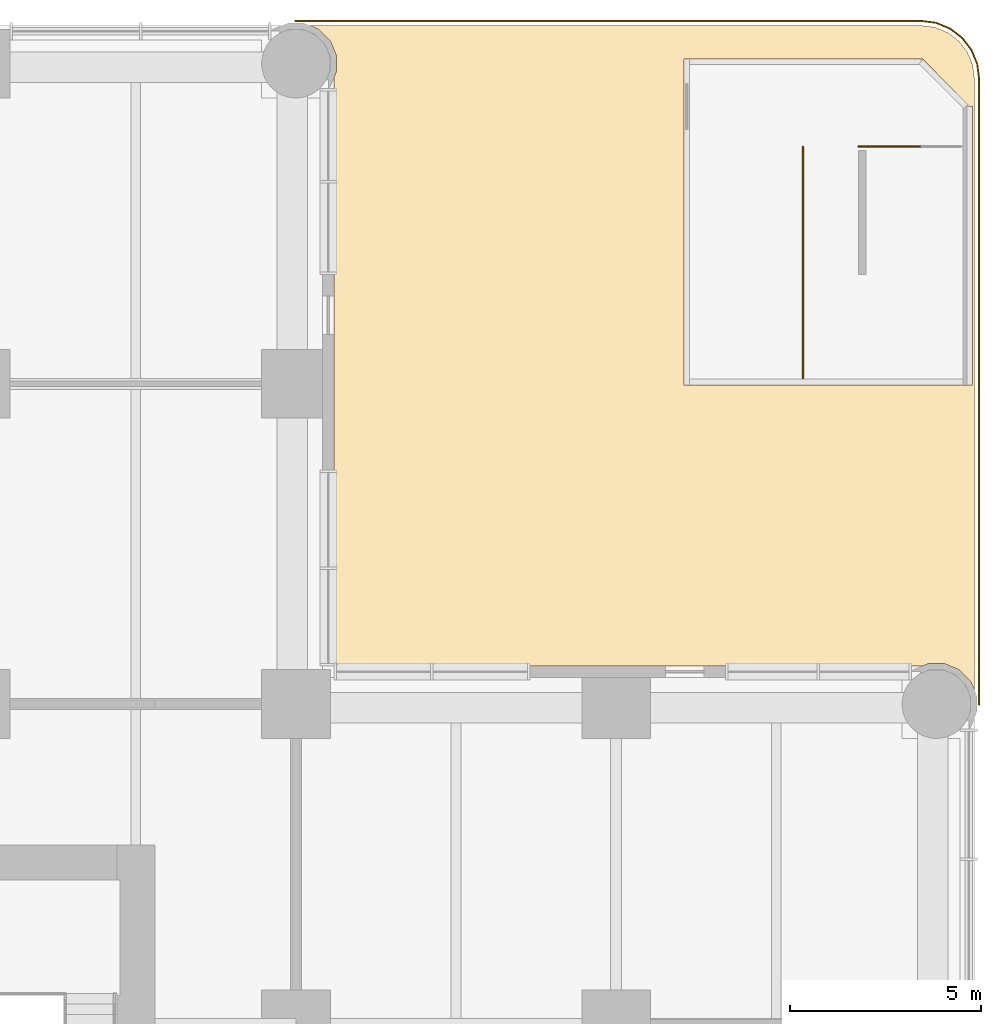
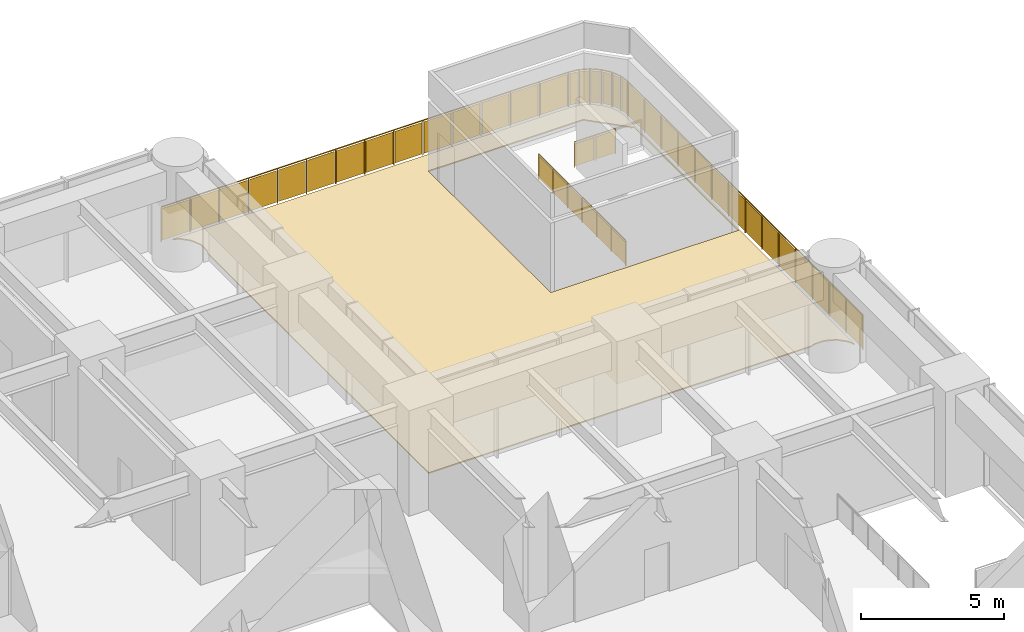
# One storey, part 20 of 21: 3 railings, 1 covering.
"""IFC4 building model written with IfcOpenShell, lengths in metres."""

from ifc_helpers import new_model, si_unit, direction, frame, origin, origin_2d, place, context, subcontext, project, spatial, polyline, circle, outline, extrude, material, layer, layer_set, constituent, constituent_set, type_object, element, save


model = new_model("IFC4")

# Units and contexts
model_context = context("Model", 3, precision=1e-05, world=origin(), true_north=direction((0.0, 1.0)))
body_context = subcontext(model_context, "Body", "Model", "MODEL_VIEW")
ifc_project = project(units=[si_unit("LENGTHUNIT", "METRE"), si_unit("AREAUNIT", "SQUARE_METRE"), si_unit("VOLUMEUNIT", "CUBIC_METRE"), si_unit("PLANEANGLEUNIT", "RADIAN"), si_unit("MASSUNIT", "GRAM", prefix="KILO")], contexts=[model_context])

# Site, building, storey
site_placement = place(None, origin())
site = spatial("IfcSite", under=ifc_project, at=site_placement, CompositionType="ELEMENT")
building_placement = place(site_placement, origin())
building = spatial("IfcBuilding", under=site, at=building_placement, Name="Torre Alcanfor", CompositionType="ELEMENT")
storey_placement = place(building_placement, frame((0.0, 0.0, 24.0)))
storey = spatial("IfcBuildingStorey", under=building, at=storey_placement, Name="L05", CompositionType="ELEMENT", Elevation=24.0)

# Railing
ifc_material_1 = material(Name="Steel ASTM A500 Grade C hollow sections, hot-dip galvanised ASTM A123", Category="steel")
ifc_constituent_1 = constituent(ifc_material_1, Name="Posts and rails")
ifc_material_2 = material(Name="Laminated safety glass", Category="glass")
ifc_constituent_2 = constituent(ifc_material_2, Name="Infill")
ifc_constituent_set = constituent_set(constituents=[ifc_constituent_1, ifc_constituent_2], Name="Play deck guard 1500")
railing_type_1 = type_object("IfcRailingType", Name="Play deck guard 1500", PredefinedType="BALUSTRADE", material=ifc_constituent_set)
railing_1_placement = place(storey_placement, frame((59.919921875, 41.977294921875, 0.0)))
element("IfcRailing", 1, at=railing_1_placement, inside=storey, type_object=railing_type_1, Name="Play deck guard L05 4", PredefinedType="BALUSTRADE", context=body_context, shape_type="SweptSolid", body=[
    extrude(circle(Radius=0.02392578125, at=origin_2d()), frame((0.0, 0.0, 1.47607421875), z_axis=(0.0, 1.0, 0.0), x_axis=(-1.0, 0.0, 0.0)), (0.0, 0.0, 1.0), 16.422607421875),
    extrude(circle(Radius=0.02392578125, at=origin_2d()), frame((0.0, 16.422607421875, 1.47607421875), z_axis=(-0.061422268918, 0.998111869923, 0.0), x_axis=(-0.998111869923, -0.061422268918, 0.0)), (0.0, 0.0, 1.0), 0.015869140625),
    extrude(circle(Radius=0.02392578125, at=origin_2d()), frame((-0.0009765625, 16.4384765625, 1.47607421875), z_axis=(-0.130281684003, 0.99147702082, 0.0), x_axis=(-0.99147702082, -0.130281684003, 0.0)), (0.0, 0.0, 1.0), 0.365478515625),
    extrude(circle(Radius=0.02392578125, at=origin_2d()), frame((-0.048583984375, 16.80078125, 1.47607421875), z_axis=(-0.18711210789, 0.982338566422, 0.0), x_axis=(-0.982338566422, -0.18711210789, 0.0)), (0.0, 0.0, 1.0), 0.010498046875),
    extrude(circle(Radius=0.02392578125, at=origin_2d()), frame((-0.050537109375, 16.81103515625, 1.47607421875), z_axis=(-0.259128566087, 0.965842837235, 0.0), x_axis=(-0.965842837235, -0.259128566087, 0.0)), (0.0, 0.0, 1.0), 0.01025390625),
    extrude(circle(Radius=0.02392578125, at=origin_2d()), frame((-0.05322265625, 16.821044921875, 1.47607421875), z_axis=(-0.323143853292, 0.946349856068, 0.0), x_axis=(-0.946349856068, -0.323143853292, 0.0)), (0.0, 0.0, 1.0), 0.010498046875),
    extrude(circle(Radius=0.02392578125, at=origin_2d()), frame((-0.056640625, 16.8310546875, 1.47607421875), z_axis=(-0.383334676979, 0.923609509168, 0.0), x_axis=(-0.923609509168, -0.383334676979, 0.0)), (0.0, 0.0, 1.0), 0.365478515625),
    extrude(circle(Radius=0.02392578125, at=origin_2d()), frame((-0.19677734375, 17.168701171875, 1.47607421875), z_axis=(-0.419058177462, 0.9079593845, 0.0), x_axis=(-0.9079593845, -0.419058177462, 0.0)), (0.0, 0.0, 1.0), 0.010498046875),
    extrude(circle(Radius=0.02392578125, at=origin_2d()), frame((-0.201171875, 17.17822265625, 1.47607421875), z_axis=(-0.493605519458, 0.869685915236, 0.0), x_axis=(-0.869685915236, -0.493605519458, 0.0)), (0.0, 0.0, 1.0), 0.010498046875),
    extrude(circle(Radius=0.02392578125, at=origin_2d()), frame((-0.206298828125, 17.187255859375, 1.47607421875), z_axis=(-0.581238193719, 0.813733471207, 0.0), x_axis=(-0.813733471207, -0.581238193719, 0.0)), (0.0, 0.0, 1.0), 0.010498046875),
    extrude(circle(Radius=0.02392578125, at=origin_2d()), frame((-0.21240234375, 17.19580078125, 1.47607421875), z_axis=(-0.608838347721, 0.793294312563, 0.0), x_axis=(-0.793294312563, -0.608838347721, 0.0)), (0.0, 0.0, 1.0), 0.365234375),
    extrude(circle(Radius=0.02392578125, at=origin_2d()), frame((-0.434814453125, 17.485595703125, 1.47607421875), z_axis=(-0.646977448195, 0.762509135373, 0.0), x_axis=(-0.762509135373, -0.646977448195, 0.0)), (0.0, 0.0, 1.0), 0.010498046875),
    extrude(circle(Radius=0.02392578125, at=origin_2d()), frame((-0.441650390625, 17.49365234375, 1.47607421875), z_axis=(-0.707106781187, 0.707106781187, 0.0), x_axis=(-0.707106781187, -0.707106781187, 0.0)), (0.0, 0.0, 1.0), 0.01025390625),
    extrude(circle(Radius=0.02392578125, at=origin_2d()), frame((-0.448974609375, 17.5009765625, 1.47607421875), z_axis=(-0.762509135373, 0.646977448195, 0.0), x_axis=(-0.646977448195, -0.762509135373, 0.0)), (0.0, 0.0, 1.0), 0.010498046875),
    extrude(circle(Radius=0.02392578125, at=origin_2d()), frame((-0.45703125, 17.5078125, 1.47607421875), z_axis=(-0.793294312563, 0.608838347721, 0.0), x_axis=(-0.608838347721, -0.793294312563, 0.0)), (0.0, 0.0, 1.0), 0.365234375),
    extrude(circle(Radius=0.02392578125, at=origin_2d()), frame((-0.746826171875, 17.730224609375, 1.47607421875), z_axis=(-0.813733471207, 0.581238193719, 0.0), x_axis=(-0.581238193719, -0.813733471207, 0.0)), (0.0, 0.0, 1.0), 0.010498046875),
    extrude(circle(Radius=0.02392578125, at=origin_2d()), frame((-0.75537109375, 17.736328125, 1.47607421875), z_axis=(-0.869685915236, 0.493605519458, 0.0), x_axis=(-0.493605519458, -0.869685915236, 0.0)), (0.0, 0.0, 1.0), 0.010498046875),
    extrude(circle(Radius=0.02392578125, at=origin_2d()), frame((-0.764404296875, 17.741455078125, 1.47607421875), z_axis=(-0.9079593845, 0.419058177462, 0.0), x_axis=(-0.419058177462, -0.9079593845, 0.0)), (0.0, 0.0, 1.0), 0.010498046875),
    extrude(circle(Radius=0.02392578125, at=origin_2d()), frame((-0.77392578125, 17.745849609375, 1.47607421875), z_axis=(-0.923609509168, 0.383334676979, 0.0), x_axis=(-0.383334676979, -0.923609509168, 0.0)), (0.0, 0.0, 1.0), 0.365478515625),
    extrude(circle(Radius=0.02392578125, at=origin_2d()), frame((-1.111572265625, 17.885986328125, 1.47607421875), z_axis=(-0.946349856068, 0.323143853292, 0.0), x_axis=(-0.323143853292, -0.946349856068, 0.0)), (0.0, 0.0, 1.0), 0.010498046875),
    extrude(circle(Radius=0.02392578125, at=origin_2d()), frame((-1.12158203125, 17.889404296875, 1.47607421875), z_axis=(-0.965842837235, 0.259128566087, 0.0), x_axis=(-0.259128566087, -0.965842837235, 0.0)), (0.0, 0.0, 1.0), 0.01025390625),
    extrude(circle(Radius=0.02392578125, at=origin_2d()), frame((-1.131591796875, 17.89208984375, 1.47607421875), z_axis=(-0.982338566422, 0.18711210789, 0.0), x_axis=(-0.18711210789, -0.982338566422, 0.0)), (0.0, 0.0, 1.0), 0.010498046875),
    extrude(circle(Radius=0.02392578125, at=origin_2d()), frame((-1.141845703125, 17.89404296875, 1.47607421875), z_axis=(-0.99147702082, 0.130281684003, 0.0), x_axis=(-0.130281684003, -0.99147702082, 0.0)), (0.0, 0.0, 1.0), 0.365478515625),
    extrude(circle(Radius=0.02392578125, at=origin_2d()), frame((-1.504150390625, 17.941650390625, 1.47607421875), z_axis=(-0.998111869923, 0.061422268918, 0.0), x_axis=(-0.061422268918, -0.998111869923, 0.0)), (0.0, 0.0, 1.0), 0.015869140625),
    extrude(circle(Radius=0.02392578125, at=origin_2d()), frame((-1.52001953125, 17.942626953125, 1.47607421875), z_axis=(-1.0, 0.0, 0.0), x_axis=(0.0, -1.0, 0.0)), (0.0, 0.0, 1.0), 16.422607421875),
    extrude(circle(Radius=0.02099609375, at=origin_2d()), origin(), (0.0, 0.0, 1.0), 1.451904296875),
    extrude(circle(Radius=0.02099609375, at=origin_2d()), frame((0.0, 1.173095703125, 0.0)), (0.0, 0.0, 1.0), 1.451904296875),
    extrude(circle(Radius=0.02099609375, at=origin_2d()), frame((0.0, 2.34619140625, 0.0)), (0.0, 0.0, 1.0), 1.451904296875),
    extrude(circle(Radius=0.02099609375, at=origin_2d()), frame((0.0, 3.51904296875, 0.0)), (0.0, 0.0, 1.0), 1.451904296875),
    extrude(circle(Radius=0.02099609375, at=origin_2d()), frame((0.0, 4.692138671875, 0.0)), (0.0, 0.0, 1.0), 1.451904296875),
    extrude(circle(Radius=0.02099609375, at=origin_2d()), frame((0.0, 5.865234375, 0.0)), (0.0, 0.0, 1.0), 1.451904296875),
    extrude(circle(Radius=0.02099609375, at=origin_2d()), frame((0.0, 7.038330078125, 0.0)), (0.0, 0.0, 1.0), 1.451904296875),
    extrude(circle(Radius=0.02099609375, at=origin_2d()), frame((0.0, 8.21142578125, 0.0)), (0.0, 0.0, 1.0), 1.451904296875),
    extrude(circle(Radius=0.02099609375, at=origin_2d()), frame((0.0, 9.38427734375, 0.0)), (0.0, 0.0, 1.0), 1.451904296875),
    extrude(circle(Radius=0.02099609375, at=origin_2d()), frame((0.0, 10.557373046875, 0.0)), (0.0, 0.0, 1.0), 1.451904296875),
    extrude(circle(Radius=0.02099609375, at=origin_2d()), frame((0.0, 11.73046875, 0.0)), (0.0, 0.0, 1.0), 1.451904296875),
    extrude(circle(Radius=0.02099609375, at=origin_2d()), frame((0.0, 12.903564453125, 0.0)), (0.0, 0.0, 1.0), 1.451904296875),
    extrude(circle(Radius=0.02099609375, at=origin_2d()), frame((0.0, 14.076416015625, 0.0)), (0.0, 0.0, 1.0), 1.451904296875),
    extrude(circle(Radius=0.02099609375, at=origin_2d()), frame((0.0, 15.24951171875, 0.0)), (0.0, 0.0, 1.0), 1.451904296875),
    extrude(circle(Radius=0.02099609375, at=origin_2d()), frame((0.0, 16.422607421875, 0.0)), (0.0, 0.0, 1.0), 1.451904296875),
    extrude(circle(Radius=0.02099609375, at=origin_2d()), frame((-0.0009765625, 16.4384765625, 0.0)), (0.0, 0.0, 1.0), 1.451904296875),
    extrude(circle(Radius=0.02099609375, at=origin_2d()), frame((-0.048583984375, 16.80078125, 0.0)), (0.0, 0.0, 1.0), 1.451904296875),
    extrude(circle(Radius=0.02099609375, at=origin_2d()), frame((-0.050537109375, 16.81103515625, 0.0)), (0.0, 0.0, 1.0), 1.451904296875),
    extrude(circle(Radius=0.02099609375, at=origin_2d()), frame((-0.05322265625, 16.821044921875, 0.0)), (0.0, 0.0, 1.0), 1.451904296875),
    extrude(circle(Radius=0.02099609375, at=origin_2d()), frame((-0.056640625, 16.8310546875, 0.0)), (0.0, 0.0, 1.0), 1.451904296875),
    extrude(circle(Radius=0.02099609375, at=origin_2d()), frame((-0.19677734375, 17.168701171875, 0.0)), (0.0, 0.0, 1.0), 1.451904296875),
    extrude(circle(Radius=0.02099609375, at=origin_2d()), frame((-0.201171875, 17.17822265625, 0.0)), (0.0, 0.0, 1.0), 1.451904296875),
    extrude(circle(Radius=0.02099609375, at=origin_2d()), frame((-0.206298828125, 17.187255859375, 0.0)), (0.0, 0.0, 1.0), 1.451904296875),
    extrude(circle(Radius=0.02099609375, at=origin_2d()), frame((-0.21240234375, 17.19580078125, 0.0)), (0.0, 0.0, 1.0), 1.451904296875),
    extrude(circle(Radius=0.02099609375, at=origin_2d()), frame((-0.434814453125, 17.485595703125, 0.0)), (0.0, 0.0, 1.0), 1.451904296875),
    extrude(circle(Radius=0.02099609375, at=origin_2d()), frame((-0.441650390625, 17.49365234375, 0.0)), (0.0, 0.0, 1.0), 1.451904296875),
    extrude(circle(Radius=0.02099609375, at=origin_2d()), frame((-0.448974609375, 17.5009765625, 0.0)), (0.0, 0.0, 1.0), 1.451904296875),
    extrude(circle(Radius=0.02099609375, at=origin_2d()), frame((-0.45703125, 17.5078125, 0.0)), (0.0, 0.0, 1.0), 1.451904296875),
    extrude(circle(Radius=0.02099609375, at=origin_2d()), frame((-0.746826171875, 17.730224609375, 0.0)), (0.0, 0.0, 1.0), 1.451904296875),
    extrude(circle(Radius=0.02099609375, at=origin_2d()), frame((-0.75537109375, 17.736328125, 0.0)), (0.0, 0.0, 1.0), 1.451904296875),
    extrude(circle(Radius=0.02099609375, at=origin_2d()), frame((-0.764404296875, 17.741455078125, 0.0)), (0.0, 0.0, 1.0), 1.451904296875),
    extrude(circle(Radius=0.02099609375, at=origin_2d()), frame((-0.77392578125, 17.745849609375, 0.0)), (0.0, 0.0, 1.0), 1.451904296875),
    extrude(circle(Radius=0.02099609375, at=origin_2d()), frame((-1.111572265625, 17.885986328125, 0.0)), (0.0, 0.0, 1.0), 1.451904296875),
    extrude(circle(Radius=0.02099609375, at=origin_2d()), frame((-1.12158203125, 17.889404296875, 0.0)), (0.0, 0.0, 1.0), 1.451904296875),
    extrude(circle(Radius=0.02099609375, at=origin_2d()), frame((-1.131591796875, 17.89208984375, 0.0)), (0.0, 0.0, 1.0), 1.451904296875),
    extrude(circle(Radius=0.02099609375, at=origin_2d()), frame((-1.141845703125, 17.89404296875, 0.0)), (0.0, 0.0, 1.0), 1.451904296875),
    extrude(circle(Radius=0.02099609375, at=origin_2d()), frame((-1.504150390625, 17.941650390625, 0.0)), (0.0, 0.0, 1.0), 1.451904296875),
    extrude(circle(Radius=0.02099609375, at=origin_2d()), frame((-1.52001953125, 17.942626953125, 0.0)), (0.0, 0.0, 1.0), 1.451904296875),
    extrude(circle(Radius=0.02099609375, at=origin_2d()), frame((-2.693115234375, 17.942626953125, 0.0)), (0.0, 0.0, 1.0), 1.451904296875),
    extrude(circle(Radius=0.02099609375, at=origin_2d()), frame((-3.8662109375, 17.942626953125, 0.0)), (0.0, 0.0, 1.0), 1.451904296875),
    extrude(circle(Radius=0.02099609375, at=origin_2d()), frame((-5.0390625, 17.942626953125, 0.0)), (0.0, 0.0, 1.0), 1.451904296875),
    extrude(circle(Radius=0.02099609375, at=origin_2d()), frame((-6.212158203125, 17.942626953125, 0.0)), (0.0, 0.0, 1.0), 1.451904296875),
    extrude(circle(Radius=0.02099609375, at=origin_2d()), frame((-7.38525390625, 17.942626953125, 0.0)), (0.0, 0.0, 1.0), 1.451904296875),
    extrude(circle(Radius=0.02099609375, at=origin_2d()), frame((-8.558349609375, 17.942626953125, 0.0)), (0.0, 0.0, 1.0), 1.451904296875),
    extrude(circle(Radius=0.02099609375, at=origin_2d()), frame((-9.7314453125, 17.942626953125, 0.0)), (0.0, 0.0, 1.0), 1.451904296875),
    extrude(circle(Radius=0.02099609375, at=origin_2d()), frame((-10.904296875, 17.942626953125, 0.0)), (0.0, 0.0, 1.0), 1.451904296875),
    extrude(circle(Radius=0.02099609375, at=origin_2d()), frame((-12.077392578125, 17.942626953125, 0.0)), (0.0, 0.0, 1.0), 1.451904296875),
    extrude(circle(Radius=0.02099609375, at=origin_2d()), frame((-13.25048828125, 17.942626953125, 0.0)), (0.0, 0.0, 1.0), 1.451904296875),
    extrude(circle(Radius=0.02099609375, at=origin_2d()), frame((-14.423583984375, 17.942626953125, 0.0)), (0.0, 0.0, 1.0), 1.451904296875),
    extrude(circle(Radius=0.02099609375, at=origin_2d()), frame((-15.596435546875, 17.942626953125, 0.0)), (0.0, 0.0, 1.0), 1.451904296875),
    extrude(circle(Radius=0.02099609375, at=origin_2d()), frame((-16.76953125, 17.942626953125, 0.0)), (0.0, 0.0, 1.0), 1.451904296875),
    extrude(circle(Radius=0.02099609375, at=origin_2d()), frame((-17.942626953125, 17.942626953125, 0.0)), (0.0, 0.0, 1.0), 1.451904296875),
    extrude(outline(polyline([(0.041015625, 0.050048828125), (1.132080078125, 0.050048828125), (1.132080078125, 1.402099609375), (0.041015625, 1.402099609375), (0.041015625, 0.050048828125)])), frame((-0.001953125, 0.0, 0.0), z_axis=(1.0, 0.0, 0.0), x_axis=(0.0, 1.0, 0.0)), (0.0, 0.0, 1.0), 0.00390625),
    extrude(outline(polyline([(1.214111328125, 0.050048828125), (2.30517578125, 0.050048828125), (2.30517578125, 1.402099609375), (1.214111328125, 1.402099609375), (1.214111328125, 0.050048828125)])), frame((-0.001953125, 0.0, 0.0), z_axis=(1.0, 0.0, 0.0), x_axis=(0.0, 1.0, 0.0)), (0.0, 0.0, 1.0), 0.00390625),
    extrude(outline(polyline([(2.38720703125, 0.050048828125), (3.47802734375, 0.050048828125), (3.47802734375, 1.402099609375), (2.38720703125, 1.402099609375), (2.38720703125, 0.050048828125)])), frame((-0.001953125, 0.0, 0.0), z_axis=(1.0, 0.0, 0.0), x_axis=(0.0, 1.0, 0.0)), (0.0, 0.0, 1.0), 0.00390625),
    extrude(outline(polyline([(3.56005859375, 0.050048828125), (4.651123046875, 0.050048828125), (4.651123046875, 1.402099609375), (3.56005859375, 1.402099609375), (3.56005859375, 0.050048828125)])), frame((-0.001953125, 0.0, 0.0), z_axis=(1.0, 0.0, 0.0), x_axis=(0.0, 1.0, 0.0)), (0.0, 0.0, 1.0), 0.00390625),
    extrude(outline(polyline([(4.733154296875, 0.050048828125), (5.82421875, 0.050048828125), (5.82421875, 1.402099609375), (4.733154296875, 1.402099609375), (4.733154296875, 0.050048828125)])), frame((-0.001953125, 0.0, 0.0), z_axis=(1.0, 0.0, 0.0), x_axis=(0.0, 1.0, 0.0)), (0.0, 0.0, 1.0), 0.00390625),
    extrude(outline(polyline([(5.90625, 0.050048828125), (6.997314453125, 0.050048828125), (6.997314453125, 1.402099609375), (5.90625, 1.402099609375), (5.90625, 0.050048828125)])), frame((-0.001953125, 0.0, 0.0), z_axis=(1.0, 0.0, 0.0), x_axis=(0.0, 1.0, 0.0)), (0.0, 0.0, 1.0), 0.00390625),
    extrude(outline(polyline([(7.079345703125, 0.050048828125), (8.17041015625, 0.050048828125), (8.17041015625, 1.402099609375), (7.079345703125, 1.402099609375), (7.079345703125, 0.050048828125)])), frame((-0.001953125, 0.0, 0.0), z_axis=(1.0, 0.0, 0.0), x_axis=(0.0, 1.0, 0.0)), (0.0, 0.0, 1.0), 0.00390625),
    extrude(outline(polyline([(8.252197265625, 0.050048828125), (9.34326171875, 0.050048828125), (9.34326171875, 1.402099609375), (8.252197265625, 1.402099609375), (8.252197265625, 0.050048828125)])), frame((-0.001953125, 0.0, 0.0), z_axis=(1.0, 0.0, 0.0), x_axis=(0.0, 1.0, 0.0)), (0.0, 0.0, 1.0), 0.00390625),
    extrude(outline(polyline([(9.42529296875, 0.050048828125), (10.516357421875, 0.050048828125), (10.516357421875, 1.402099609375), (9.42529296875, 1.402099609375), (9.42529296875, 0.050048828125)])), frame((-0.001953125, 0.0, 0.0), z_axis=(1.0, 0.0, 0.0), x_axis=(0.0, 1.0, 0.0)), (0.0, 0.0, 1.0), 0.00390625),
    extrude(outline(polyline([(10.598388671875, 0.050048828125), (11.689453125, 0.050048828125), (11.689453125, 1.402099609375), (10.598388671875, 1.402099609375), (10.598388671875, 0.050048828125)])), frame((-0.001953125, 0.0, 0.0), z_axis=(1.0, 0.0, 0.0), x_axis=(0.0, 1.0, 0.0)), (0.0, 0.0, 1.0), 0.00390625),
    extrude(outline(polyline([(11.771484375, 0.050048828125), (12.862548828125, 0.050048828125), (12.862548828125, 1.402099609375), (11.771484375, 1.402099609375), (11.771484375, 0.050048828125)])), frame((-0.001953125, 0.0, 0.0), z_axis=(1.0, 0.0, 0.0), x_axis=(0.0, 1.0, 0.0)), (0.0, 0.0, 1.0), 0.00390625),
    extrude(outline(polyline([(12.944580078125, 0.050048828125), (14.035400390625, 0.050048828125), (14.035400390625, 1.402099609375), (12.944580078125, 1.402099609375), (12.944580078125, 0.050048828125)])), frame((-0.001953125, 0.0, 0.0), z_axis=(1.0, 0.0, 0.0), x_axis=(0.0, 1.0, 0.0)), (0.0, 0.0, 1.0), 0.00390625),
    extrude(outline(polyline([(14.117431640625, 0.050048828125), (15.20849609375, 0.050048828125), (15.20849609375, 1.402099609375), (14.117431640625, 1.402099609375), (14.117431640625, 0.050048828125)])), frame((-0.001953125, 0.0, 0.0), z_axis=(1.0, 0.0, 0.0), x_axis=(0.0, 1.0, 0.0)), (0.0, 0.0, 1.0), 0.00390625),
    extrude(outline(polyline([(15.29052734375, 0.050048828125), (16.381591796875, 0.050048828125), (16.381591796875, 1.402099609375), (15.29052734375, 1.402099609375), (15.29052734375, 0.050048828125)])), frame((-0.001953125, 0.0, 0.0), z_axis=(1.0, 0.0, 0.0), x_axis=(0.0, 1.0, 0.0)), (0.0, 0.0, 1.0), 0.00390625),
    extrude(outline(polyline([(0.041015625, 0.050048828125), (0.324462890625, 0.050048828125), (0.324462890625, 1.402099609375), (0.041015625, 1.402099609375), (0.041015625, 0.050048828125)])), frame((-0.0029296875, 16.438232421875, 0.0), z_axis=(0.99147702082, 0.130281684003, 0.0), x_axis=(-0.130281684003, 0.99147702082, 0.0)), (0.0, 0.0, 1.0), 0.00390625),
    extrude(outline(polyline([(0.041015625, 0.050048828125), (0.324462890625, 0.050048828125), (0.324462890625, 1.402099609375), (0.041015625, 1.402099609375), (0.041015625, 0.050048828125)])), frame((-0.058349609375, 16.830322265625, 0.0), z_axis=(0.923609509168, 0.383334676979, 0.0), x_axis=(-0.383334676979, 0.923609509168, 0.0)), (0.0, 0.0, 1.0), 0.00390625),
    extrude(outline(polyline([(0.041015625, 0.050048828125), (0.32421875, 0.050048828125), (0.32421875, 1.402099609375), (0.041015625, 1.402099609375), (0.041015625, 0.050048828125)])), frame((-0.2138671875, 17.194580078125, 0.0), z_axis=(0.793294312563, 0.608838347721, 0.0), x_axis=(-0.608838347721, 0.793294312563, 0.0)), (0.0, 0.0, 1.0), 0.00390625),
    extrude(outline(polyline([(0.041015625, 0.050048828125), (0.32421875, 0.050048828125), (0.32421875, 1.402099609375), (0.041015625, 1.402099609375), (0.041015625, 0.050048828125)])), frame((-0.458251953125, 17.50634765625, 0.0), z_axis=(0.608838347721, 0.793294312563, 0.0), x_axis=(-0.793294312563, 0.608838347721, 0.0)), (0.0, 0.0, 1.0), 0.00390625),
    extrude(outline(polyline([(0.041015625, 0.050048828125), (0.324462890625, 0.050048828125), (0.324462890625, 1.402099609375), (0.041015625, 1.402099609375), (0.041015625, 0.050048828125)])), frame((-0.774658203125, 17.744140625, 0.0), z_axis=(0.383334676979, 0.923609509168, 0.0), x_axis=(-0.923609509168, 0.383334676979, 0.0)), (0.0, 0.0, 1.0), 0.00390625),
    extrude(outline(polyline([(0.041015625, 0.050048828125), (0.324462890625, 0.050048828125), (0.324462890625, 1.402099609375), (0.041015625, 1.402099609375), (0.041015625, 0.050048828125)])), frame((-1.14208984375, 17.89208984375, 0.0), z_axis=(0.130281684003, 0.99147702082, 0.0), x_axis=(-0.99147702082, 0.130281684003, 0.0)), (0.0, 0.0, 1.0), 0.00390625),
    extrude(outline(polyline([(0.041015625, 0.050048828125), (1.132080078125, 0.050048828125), (1.132080078125, 1.402099609375), (0.041015625, 1.402099609375), (0.041015625, 0.050048828125)])), frame((-1.52001953125, 17.940673828125, 0.0), z_axis=(0.0, 1.0, 0.0), x_axis=(-1.0, 0.0, 0.0)), (0.0, 0.0, 1.0), 0.00390625),
    extrude(outline(polyline([(1.214111328125, 0.050048828125), (2.30517578125, 0.050048828125), (2.30517578125, 1.402099609375), (1.214111328125, 1.402099609375), (1.214111328125, 0.050048828125)])), frame((-1.52001953125, 17.940673828125, 0.0), z_axis=(0.0, 1.0, 0.0), x_axis=(-1.0, 0.0, 0.0)), (0.0, 0.0, 1.0), 0.00390625),
    extrude(outline(polyline([(2.38720703125, 0.050048828125), (3.47802734375, 0.050048828125), (3.47802734375, 1.402099609375), (2.38720703125, 1.402099609375), (2.38720703125, 0.050048828125)])), frame((-1.52001953125, 17.940673828125, 0.0), z_axis=(0.0, 1.0, 0.0), x_axis=(-1.0, 0.0, 0.0)), (0.0, 0.0, 1.0), 0.00390625),
    extrude(outline(polyline([(3.56005859375, 0.050048828125), (4.651123046875, 0.050048828125), (4.651123046875, 1.402099609375), (3.56005859375, 1.402099609375), (3.56005859375, 0.050048828125)])), frame((-1.52001953125, 17.940673828125, 0.0), z_axis=(0.0, 1.0, 0.0), x_axis=(-1.0, 0.0, 0.0)), (0.0, 0.0, 1.0), 0.00390625),
    extrude(outline(polyline([(4.733154296875, 0.050048828125), (5.82421875, 0.050048828125), (5.82421875, 1.402099609375), (4.733154296875, 1.402099609375), (4.733154296875, 0.050048828125)])), frame((-1.52001953125, 17.940673828125, 0.0), z_axis=(0.0, 1.0, 0.0), x_axis=(-1.0, 0.0, 0.0)), (0.0, 0.0, 1.0), 0.00390625),
    extrude(outline(polyline([(5.90625, 0.050048828125), (6.997314453125, 0.050048828125), (6.997314453125, 1.402099609375), (5.90625, 1.402099609375), (5.90625, 0.050048828125)])), frame((-1.52001953125, 17.940673828125, 0.0), z_axis=(0.0, 1.0, 0.0), x_axis=(-1.0, 0.0, 0.0)), (0.0, 0.0, 1.0), 0.00390625),
    extrude(outline(polyline([(7.079345703125, 0.050048828125), (8.17041015625, 0.050048828125), (8.17041015625, 1.402099609375), (7.079345703125, 1.402099609375), (7.079345703125, 0.050048828125)])), frame((-1.52001953125, 17.940673828125, 0.0), z_axis=(0.0, 1.0, 0.0), x_axis=(-1.0, 0.0, 0.0)), (0.0, 0.0, 1.0), 0.00390625),
    extrude(outline(polyline([(8.252197265625, 0.050048828125), (9.34326171875, 0.050048828125), (9.34326171875, 1.402099609375), (8.252197265625, 1.402099609375), (8.252197265625, 0.050048828125)])), frame((-1.52001953125, 17.940673828125, 0.0), z_axis=(0.0, 1.0, 0.0), x_axis=(-1.0, 0.0, 0.0)), (0.0, 0.0, 1.0), 0.00390625),
    extrude(outline(polyline([(9.42529296875, 0.050048828125), (10.516357421875, 0.050048828125), (10.516357421875, 1.402099609375), (9.42529296875, 1.402099609375), (9.42529296875, 0.050048828125)])), frame((-1.52001953125, 17.940673828125, 0.0), z_axis=(0.0, 1.0, 0.0), x_axis=(-1.0, 0.0, 0.0)), (0.0, 0.0, 1.0), 0.00390625),
    extrude(outline(polyline([(10.598388671875, 0.050048828125), (11.689453125, 0.050048828125), (11.689453125, 1.402099609375), (10.598388671875, 1.402099609375), (10.598388671875, 0.050048828125)])), frame((-1.52001953125, 17.940673828125, 0.0), z_axis=(0.0, 1.0, 0.0), x_axis=(-1.0, 0.0, 0.0)), (0.0, 0.0, 1.0), 0.00390625),
    extrude(outline(polyline([(11.771484375, 0.050048828125), (12.862548828125, 0.050048828125), (12.862548828125, 1.402099609375), (11.771484375, 1.402099609375), (11.771484375, 0.050048828125)])), frame((-1.52001953125, 17.940673828125, 0.0), z_axis=(0.0, 1.0, 0.0), x_axis=(-1.0, 0.0, 0.0)), (0.0, 0.0, 1.0), 0.00390625),
    extrude(outline(polyline([(12.944580078125, 0.050048828125), (14.035400390625, 0.050048828125), (14.035400390625, 1.402099609375), (12.944580078125, 1.402099609375), (12.944580078125, 0.050048828125)])), frame((-1.52001953125, 17.940673828125, 0.0), z_axis=(0.0, 1.0, 0.0), x_axis=(-1.0, 0.0, 0.0)), (0.0, 0.0, 1.0), 0.00390625),
    extrude(outline(polyline([(14.117431640625, 0.050048828125), (15.20849609375, 0.050048828125), (15.20849609375, 1.402099609375), (14.117431640625, 1.402099609375), (14.117431640625, 0.050048828125)])), frame((-1.52001953125, 17.940673828125, 0.0), z_axis=(0.0, 1.0, 0.0), x_axis=(-1.0, 0.0, 0.0)), (0.0, 0.0, 1.0), 0.00390625),
    extrude(outline(polyline([(15.29052734375, 0.050048828125), (16.381591796875, 0.050048828125), (16.381591796875, 1.402099609375), (15.29052734375, 1.402099609375), (15.29052734375, 0.050048828125)])), frame((-1.52001953125, 17.940673828125, 0.0), z_axis=(0.0, 1.0, 0.0), x_axis=(-1.0, 0.0, 0.0)), (0.0, 0.0, 1.0), 0.00390625),
])

# Covering
ifc_material_3 = material(Name="Rubber safety surfacing on screed", Category="masonry")
ifc_layer = layer(ifc_material_3, 0.050048828125)
ifc_layer_set = layer_set([ifc_layer], Name="Play deck rubber surface 50")
covering_type = type_object("IfcCoveringType", Name="Play deck rubber surface 50", PredefinedType="FLOORING", material=ifc_layer_set)
covering_placement = place(storey_placement, origin())
element("IfcCovering", 2, at=covering_placement, inside=storey, type_object=covering_type, Name="Play deck surface L05 4", PredefinedType="FLOORING", context=body_context, shape_type="SweptSolid", body=[
    extrude(outline(polyline([(43.0, 43.0), (43.0, 58.39990234375), (42.99560546875, 58.43359375), (43.06005859375, 58.589111328125), (43.06005859375, 59.0107421875), (42.898681640625, 59.400390625), (42.600341796875, 59.698486328125), (42.355712890625, 59.800048828125), (58.39990234375, 59.800048828125), (58.76220703125, 59.752197265625), (59.10009765625, 59.6123046875), (59.389892578125, 59.389892578125), (59.6123046875, 59.10009765625), (59.752197265625, 58.76220703125), (59.800048828125, 58.39990234375), (59.800048828125, 42.355712890625), (59.698486328125, 42.600341796875), (59.400390625, 42.898681640625), (59.0107421875, 43.06005859375), (58.589111328125, 43.06005859375), (58.43359375, 42.99560546875), (58.39990234375, 43.0), (43.0, 43.0)]), holes=[polyline([(59.75, 50.375), (59.75, 57.675048828125), (59.64990234375, 57.675048828125), (59.64990234375, 57.7060546875), (58.43115234375, 58.925048828125), (52.175048828125, 58.925048828125), (52.175048828125, 50.375), (59.64990234375, 50.375), (59.75, 50.375)])]), origin(), (0.0, 0.0, 1.0), 0.050048828125),
])

# Railings
ifc_material_4 = material(Name="Steel ASTM A500 Grade C hollow sections", Category="steel")
railing_type_2 = type_object("IfcRailingType", Name="Stair guard and handrail 1100", PredefinedType="GUARDRAIL", material=ifc_material_4)
railing_2_placement = place(storey_placement, frame((55.300048828125, 56.625, 0.0)))
element("IfcRailing", 3, at=railing_2_placement, inside=storey, type_object=railing_type_2, Name="Stair well guard SS4 L05 door side", PredefinedType="GUARDRAIL", context=body_context, shape_type="SweptSolid", body=[
    extrude(circle(Radius=0.02392578125, at=origin_2d()), frame((0.0, 0.0, 1.076171875), z_axis=(0.0, -1.0, 0.0), x_axis=(1.0, 0.0, 0.0)), (0.0, 0.0, 1.0), 6.0849609375),
    extrude(circle(Radius=0.02099609375, at=origin_2d()), origin(), (0.0, 0.0, 1.0), 1.052001953125),
    extrude(circle(Radius=0.02099609375, at=origin_2d()), frame((0.0, -1.01416015625, 0.0)), (0.0, 0.0, 1.0), 1.052001953125),
    extrude(circle(Radius=0.02099609375, at=origin_2d()), frame((0.0, -2.0283203125, 0.0)), (0.0, 0.0, 1.0), 1.052001953125),
    extrude(circle(Radius=0.02099609375, at=origin_2d()), frame((0.0, -3.04248046875, 0.0)), (0.0, 0.0, 1.0), 1.052001953125),
    extrude(circle(Radius=0.02099609375, at=origin_2d()), frame((0.0, -4.056640625, 0.0)), (0.0, 0.0, 1.0), 1.052001953125),
    extrude(circle(Radius=0.02099609375, at=origin_2d()), frame((0.0, -5.07080078125, 0.0)), (0.0, 0.0, 1.0), 1.052001953125),
    extrude(circle(Radius=0.02099609375, at=origin_2d()), frame((0.0, -6.0849609375, 0.0)), (0.0, 0.0, 1.0), 1.052001953125),
    extrude(outline(polyline([(0.041015625, 0.050048828125), (0.97314453125, 0.050048828125), (0.97314453125, 1.001953125), (0.041015625, 1.001953125), (0.041015625, 0.050048828125)])), frame((0.005859375, 0.0, 0.0), z_axis=(-1.0, 0.0, 0.0), x_axis=(0.0, -1.0, 0.0)), (0.0, 0.0, 1.0), 0.011962890625),
    extrude(outline(polyline([(1.05517578125, 0.050048828125), (1.9873046875, 0.050048828125), (1.9873046875, 1.001953125), (1.05517578125, 1.001953125), (1.05517578125, 0.050048828125)])), frame((0.005859375, 0.0, 0.0), z_axis=(-1.0, 0.0, 0.0), x_axis=(0.0, -1.0, 0.0)), (0.0, 0.0, 1.0), 0.011962890625),
    extrude(outline(polyline([(2.0693359375, 0.050048828125), (3.00146484375, 0.050048828125), (3.00146484375, 1.001953125), (2.0693359375, 1.001953125), (2.0693359375, 0.050048828125)])), frame((0.005859375, 0.0, 0.0), z_axis=(-1.0, 0.0, 0.0), x_axis=(0.0, -1.0, 0.0)), (0.0, 0.0, 1.0), 0.011962890625),
    extrude(outline(polyline([(3.08349609375, 0.050048828125), (4.015625, 0.050048828125), (4.015625, 1.001953125), (3.08349609375, 1.001953125), (3.08349609375, 0.050048828125)])), frame((0.005859375, 0.0, 0.0), z_axis=(-1.0, 0.0, 0.0), x_axis=(0.0, -1.0, 0.0)), (0.0, 0.0, 1.0), 0.011962890625),
    extrude(outline(polyline([(4.09765625, 0.050048828125), (5.02978515625, 0.050048828125), (5.02978515625, 1.001953125), (4.09765625, 1.001953125), (4.09765625, 0.050048828125)])), frame((0.005859375, 0.0, 0.0), z_axis=(-1.0, 0.0, 0.0), x_axis=(0.0, -1.0, 0.0)), (0.0, 0.0, 1.0), 0.011962890625),
    extrude(outline(polyline([(5.11181640625, 0.050048828125), (6.0439453125, 0.050048828125), (6.0439453125, 1.001953125), (5.11181640625, 1.001953125), (5.11181640625, 0.050048828125)])), frame((0.005859375, 0.0, 0.0), z_axis=(-1.0, 0.0, 0.0), x_axis=(0.0, -1.0, 0.0)), (0.0, 0.0, 1.0), 0.011962890625),
])
railing_3_placement = place(storey_placement, frame((58.39990234375, 56.625, 0.0)))
element("IfcRailing", 4, at=railing_3_placement, inside=storey, type_object=railing_type_2, Name="Stair well guard SS4 L05 top landing", PredefinedType="GUARDRAIL", context=body_context, shape_type="SweptSolid", body=[
    extrude(circle(Radius=0.02392578125, at=origin_2d()), frame((0.0, 0.0, 1.076171875), z_axis=(-1.0, 0.0, 0.0), x_axis=(0.0, -1.0, 0.0)), (0.0, 0.0, 1.0), 1.64990234375),
    extrude(circle(Radius=0.02099609375, at=origin_2d()), origin(), (0.0, 0.0, 1.0), 1.052001953125),
    extrude(circle(Radius=0.02099609375, at=origin_2d()), frame((-0.824951171875, 0.0, 0.0)), (0.0, 0.0, 1.0), 1.052001953125),
    extrude(circle(Radius=0.02099609375, at=origin_2d()), frame((-1.64990234375, 0.0, 0.0)), (0.0, 0.0, 1.0), 1.052001953125),
    extrude(outline(polyline([(0.041015625, 0.050048828125), (0.783935546875, 0.050048828125), (0.783935546875, 1.001953125), (0.041015625, 1.001953125), (0.041015625, 0.050048828125)])), frame((0.0, -0.005859375, 0.0), z_axis=(0.0, 1.0, 0.0), x_axis=(-1.0, 0.0, 0.0)), (0.0, 0.0, 1.0), 0.011962890625),
    extrude(outline(polyline([(0.865966796875, 0.050048828125), (1.60888671875, 0.050048828125), (1.60888671875, 1.001953125), (0.865966796875, 1.001953125), (0.865966796875, 0.050048828125)])), frame((0.0, -0.005859375, 0.0), z_axis=(0.0, 1.0, 0.0), x_axis=(-1.0, 0.0, 0.0)), (0.0, 0.0, 1.0), 0.011962890625),
])

save(model, "model.ifc")
